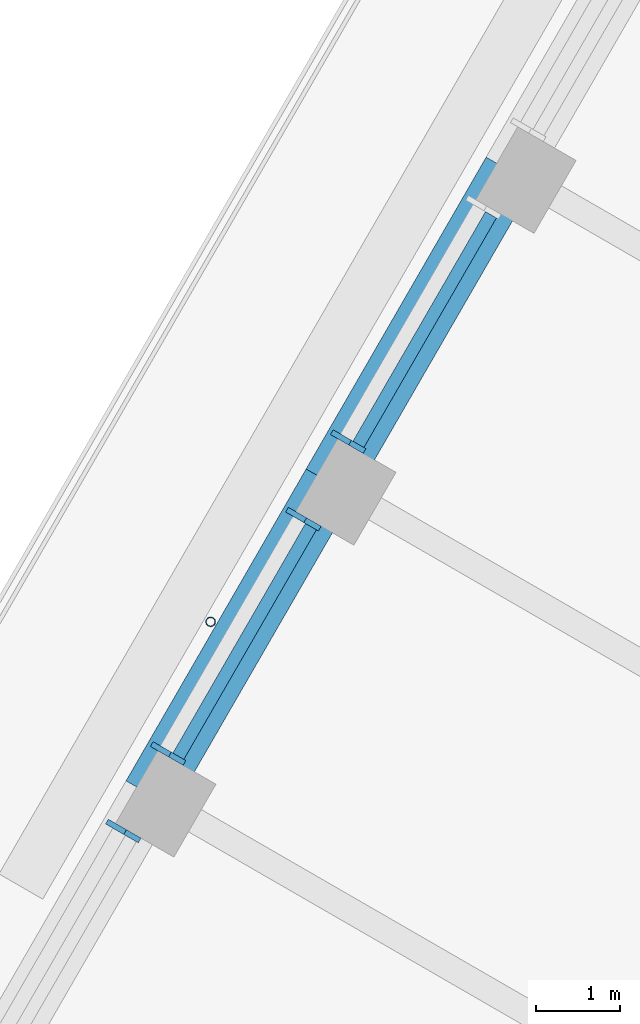
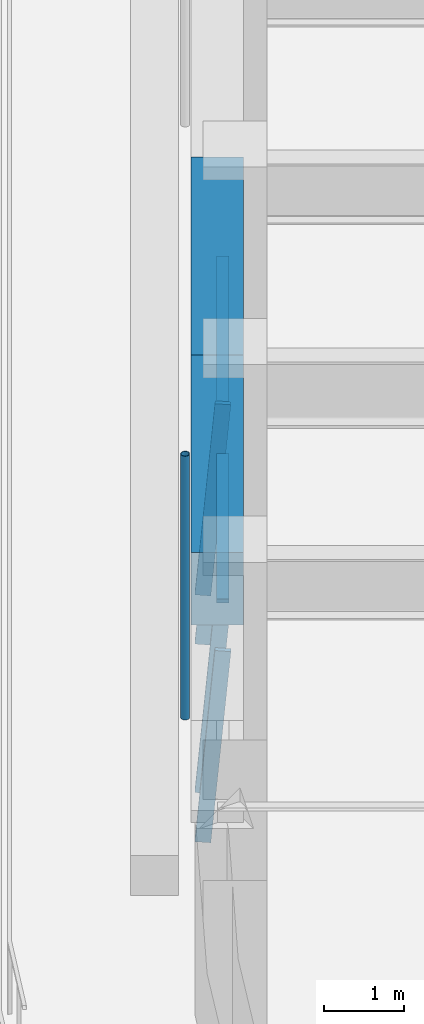
# One storey, part 6 of 19: 7 members, 2 beams, 3 elements without a shape of their own.
"""IFC4 building model written with IfcOpenShell, lengths in metres."""

from ifc_helpers import new_model, si_unit, direction, frame, origin, origin_2d, place, context, subcontext, project, spatial, rectangle, hollow_circle, extrude, material, material_profile, profile_set, type_object, element, aggregate, save


model = new_model("IFC4")

# Units and contexts
model_context = context("Model", 3, precision=1e-05, world=origin(), true_north=direction((0.0, 1.0)))
body_context = subcontext(model_context, "Body", "Model", "MODEL_VIEW")
ifc_project = project(units=[si_unit("LENGTHUNIT", "METRE"), si_unit("AREAUNIT", "SQUARE_METRE"), si_unit("VOLUMEUNIT", "CUBIC_METRE"), si_unit("PLANEANGLEUNIT", "RADIAN"), si_unit("MASSUNIT", "GRAM", prefix="KILO")], contexts=[model_context])

# Site, building, storey
site_placement = place(None, origin())
site = spatial("IfcSite", under=ifc_project, at=site_placement, CompositionType="ELEMENT")
building_placement = place(site_placement, origin())
building = spatial("IfcBuilding", under=site, at=building_placement, Name="Tarfa Lantern Tower", CompositionType="ELEMENT")
storey_placement = place(building_placement, frame((0.0, 0.0, 332.5)))
storey = spatial("IfcBuildingStorey", under=building, at=storey_placement, Name="L75", CompositionType="ELEMENT", Elevation=332.5)

# Curtain wall, member
ifc_material_1 = material(Name="Aluminium framed curtain wall", Category="aluminium")
curtain_wall_type = type_object("IfcCurtainWallType", Name="CW4 CANTED GLAZING EXECUTIVE ZONE 2900", PredefinedType="USERDEFINED", material=ifc_material_1)
curtain_wall_1_placement = place(storey_placement, origin())
curtain_wall_1 = element("IfcCurtainWall", 1, at=curtain_wall_1_placement, inside=storey, type_object=curtain_wall_type, Name="CW4 NW L75", ObjectType="CURTAIN WALL", PredefinedType="USERDEFINED")
ifc_material_2 = material(Name="Aluminium mullion", Category="aluminium")
ifc_material_profile_1 = material_profile(ifc_material_2, rectangle(XDim=0.06494140625, YDim=0.199951171875, at=origin_2d()), Name="AL MULLION 65x200")
ifc_profile_set_1 = profile_set([ifc_material_profile_1], Name="Aluminium mullion")
member_type_1 = type_object("IfcMemberType", Name="CWM1 MULLION 65x200", PredefinedType="MULLION", material=ifc_profile_set_1)
member_1_placement = place(storey_placement, frame((-24.954345703125, 10.077880859375, 0.0), z_axis=(0.074399820079, -0.042945555672, 0.996303340364), x_axis=(0.499919672301, 0.866071776036, 0.0)))
member_1 = element("IfcMember", 2, at=member_1_placement, type_object=member_type_1, Name="CW4 mullion 2", PredefinedType="MULLION", context=body_context, shape_type="SweptSolid", body=[
    extrude(rectangle(XDim=0.06494140625, YDim=0.199951171875, at=origin_2d()), origin(), (0.0, 0.0, 1.0), 2.91064453125),
])

# Curtain wall, members
curtain_wall_2_placement = place(storey_placement, origin())
curtain_wall_2 = element("IfcCurtainWall", 3, at=curtain_wall_2_placement, inside=storey, type_object=curtain_wall_type, Name="CW4 NW L75", ObjectType="CURTAIN WALL", PredefinedType="USERDEFINED")
member_2_placement = place(storey_placement, frame((-25.48681640625, 9.155517578125, 0.0), z_axis=(0.074399820079, -0.042945555672, 0.996303340364), x_axis=(0.499919672301, 0.866071776036, 0.0)))
member_2 = element("IfcMember", 4, at=member_2_placement, type_object=member_type_1, Name="CW4 mullion 1", PredefinedType="MULLION", context=body_context, shape_type="SweptSolid", body=[
    extrude(rectangle(XDim=0.06494140625, YDim=0.199951171875, at=origin_2d()), origin(), (0.0, 0.0, 1.0), 2.91064453125),
])
member_3_placement = place(storey_placement, frame((-27.095458984375, 6.369384765625, 0.0), z_axis=(0.074399820079, -0.042945555672, 0.996303340364), x_axis=(0.499919672301, 0.866071776036, 0.0)))
member_3 = element("IfcMember", 5, at=member_3_placement, type_object=member_type_1, Name="CW4 mullion 2", PredefinedType="MULLION", context=body_context, shape_type="SweptSolid", body=[
    extrude(rectangle(XDim=0.06494140625, YDim=0.199951171875, at=origin_2d()), origin(), (0.0, 0.0, 1.0), 2.91064453125),
])

# Curtain wall, member
curtain_wall_3_placement = place(storey_placement, origin())
curtain_wall_3 = element("IfcCurtainWall", 6, at=curtain_wall_3_placement, inside=storey, type_object=curtain_wall_type, Name="CW4 NW L75", ObjectType="CURTAIN WALL", PredefinedType="USERDEFINED")
member_4_placement = place(storey_placement, frame((-27.6279296875, 5.447265625, 0.0), z_axis=(0.074399820079, -0.042945555672, 0.996303340364), x_axis=(0.499919672301, 0.866071776036, 0.0)))
member_4 = element("IfcMember", 7, at=member_4_placement, type_object=member_type_1, Name="CW4 mullion 1", PredefinedType="MULLION", context=body_context, shape_type="SweptSolid", body=[
    extrude(rectangle(XDim=0.06494140625, YDim=0.199951171875, at=origin_2d()), origin(), (0.0, 0.0, 1.0), 2.91064453125),
])
aggregate(curtain_wall_3, [member_4])

# Member
ifc_material_3 = material(Name="Aluminium transom", Category="aluminium")
ifc_material_profile_2 = material_profile(ifc_material_3, rectangle(XDim=0.14990234375, YDim=0.06494140625, at=origin_2d()), Name="AL TRANSOM 150x65")
ifc_profile_set_2 = profile_set([ifc_material_profile_2], Name="Aluminium transom")
member_type_2 = type_object("IfcMemberType", Name="CWT1 TRANSOM 150x65", PredefinedType="USERDEFINED", material=ifc_profile_set_2)
member_5_placement = place(storey_placement, frame((-23.14794921875, 12.712158203125, 2.867431640625), z_axis=(-0.500037562771, -0.866003715822, 0.0), x_axis=(0.866003715822, -0.500037562771, 0.0)))
member_5 = element("IfcMember", 8, at=member_5_placement, type_object=member_type_2, Name="CW4 transom 1.2", ObjectType="TRANSOM", PredefinedType="USERDEFINED", context=body_context, shape_type="SweptSolid", body=[
    extrude(rectangle(XDim=0.14990234375, YDim=0.06494140625, at=origin_2d()), origin(), (0.0, 0.0, 1.0), 3.152099609375),
])

aggregate(curtain_wall_1, [member_1, member_5])

member_6_placement = place(storey_placement, frame((-25.2890625, 9.003662109375, 2.867431640625), z_axis=(-0.499979472441, -0.866037255052, 0.0), x_axis=(0.866037255052, -0.499979472441, 0.0)))
member_6 = element("IfcMember", 9, at=member_6_placement, type_object=member_type_2, Name="CW4 transom 1.2", ObjectType="TRANSOM", PredefinedType="USERDEFINED", context=body_context, shape_type="SweptSolid", body=[
    extrude(rectangle(XDim=0.14990234375, YDim=0.06494140625, at=origin_2d()), origin(), (0.0, 0.0, 1.0), 3.152099609375),
])

aggregate(curtain_wall_2, [member_2, member_3, member_6])

# Beams
ifc_material_4 = material(Name="Concrete C80/95", Category="concrete")
ifc_material_profile_3 = material_profile(ifc_material_4, rectangle(XDim=0.64990234375, YDim=1.10009765625, at=origin_2d()), Name="RC 650x1100")
ifc_profile_set_3 = profile_set([ifc_material_profile_3], Name="Concrete C80/95")
beam_type = type_object("IfcBeamType", Name="EB4 RC 650x1100", PredefinedType="SPANDREL", material=ifc_profile_set_3)
beam_1_placement = place(storey_placement, frame((-22.923583984375, 13.235107421875, 3.449951171875), z_axis=(-0.500002112793, -0.866024183959, 0.0), x_axis=(0.866024183959, -0.500002112793, 0.0)))
element("IfcBeam", 10, at=beam_1_placement, inside=storey, type_object=beam_type, Name="Edge beam NW3", PredefinedType="SPANDREL", context=body_context, shape_type="SweptSolid", body=[
    extrude(rectangle(XDim=0.64990234375, YDim=1.10009765625, at=origin_2d()), origin(), (0.0, 0.0, 1.0), 4.2822265625),
])
beam_2_placement = place(storey_placement, frame((-25.064697265625, 9.526611328125, 3.449951171875), z_axis=(-0.500026801138, -0.866009929587, 0.0), x_axis=(0.866009929587, -0.500026801138, 0.0)))
element("IfcBeam", 11, at=beam_2_placement, inside=storey, type_object=beam_type, Name="Edge beam NW4", PredefinedType="SPANDREL", context=body_context, shape_type="SweptSolid", body=[
    extrude(rectangle(XDim=0.64990234375, YDim=1.10009765625, at=origin_2d()), origin(), (0.0, 0.0, 1.0), 4.281982421875),
])

# Member
ifc_material_5 = material(Name="Steel S355", Category="steel")
ifc_material_profile_4 = material_profile(ifc_material_5, hollow_circle(Radius=0.05712890625, WallThickness=0.00634765625, at=origin_2d()), Name="CHS114.3x6.3")
ifc_profile_set_4 = profile_set([ifc_material_profile_4], Name="Steel S355")
member_type_3 = type_object("IfcMemberType", Name="TR1 GREEN WALL TRELLIS CHS114.3x6.3", PredefinedType="USERDEFINED", material=ifc_profile_set_4)
member_7_placement = place(storey_placement, frame((-26.481689453125, 7.87255859375, 0.0), z_axis=(0.0, 0.0, 1.0), x_axis=(1.0, 0.0, 0.0)))
element("IfcMember", 12, at=member_7_placement, inside=storey, type_object=member_type_3, Name="Trellis post NW 2", ObjectType="TRELLIS", PredefinedType="USERDEFINED", context=body_context, shape_type="SweptSolid", body=[
    extrude(hollow_circle(Radius=0.05712890625, WallThickness=0.00634765625, at=origin_2d()), origin(), (0.0, 0.0, 1.0), 4.0),
])

save(model, "model.ifc")
